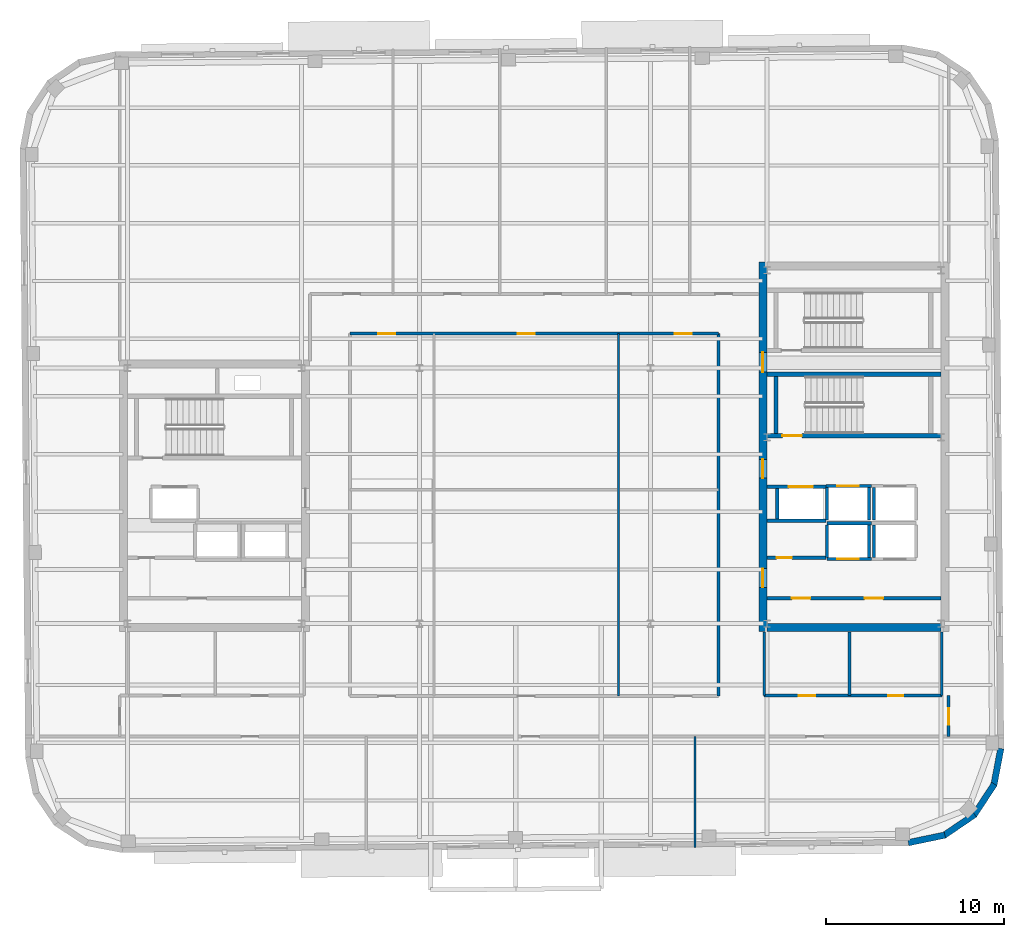
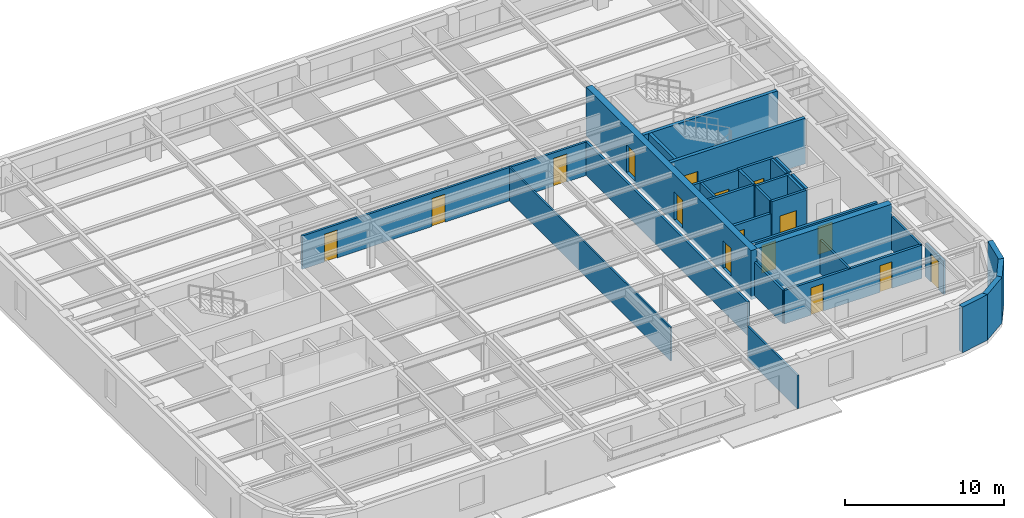
# One storey, part 8 of 14: 32 walls, 16 doors, 16 openings.
"""IFC4 building model written with IfcOpenShell, lengths in metres."""

from ifc_helpers import new_model, si_unit, direction, frame, frame_2d, origin, place, context, subcontext, project, spatial, rectangle, extrude, material, layer, layer_set, type_object, element, fill, save


model = new_model("IFC4")

# Units and contexts
model_context = context("Model", 3, precision=1e-05, world=origin(), true_north=direction((0.0, 1.0)))
body_context = subcontext(model_context, "Body", "Model", "MODEL_VIEW")
ifc_project = project(units=[si_unit("LENGTHUNIT", "METRE"), si_unit("AREAUNIT", "SQUARE_METRE"), si_unit("VOLUMEUNIT", "CUBIC_METRE"), si_unit("PLANEANGLEUNIT", "RADIAN"), si_unit("MASSUNIT", "GRAM", prefix="KILO")], contexts=[model_context])

# Site, building, storey
site_placement = place(None, origin())
site = spatial("IfcSite", under=ifc_project, at=site_placement, CompositionType="ELEMENT")
building_placement = place(site_placement, origin())
building = spatial("IfcBuilding", under=site, at=building_placement, Name="Kolvaren Arena Tower", CompositionType="ELEMENT")
storey_placement = place(building_placement, frame((0.0, 0.0, 308.64990234375)))
storey = spatial("IfcBuildingStorey", under=building, at=storey_placement, Name="L76", CompositionType="ELEMENT", Elevation=308.64990234375)

# Wall, openings, doors
ifc_material_1 = material(Name="Gypsum board acoustic assembly", Category="gypsum")
ifc_layer_1 = layer(ifc_material_1, 0.159912109375)
ifc_layer_set_1 = layer_set([ifc_layer_1], Name="Gypsum board acoustic assembly")
wall_type_1 = type_object("IfcWallType", Name="CORR-160", PredefinedType="PARTITIONING", material=ifc_layer_set_1)
wall_1_placement = place(storey_placement, frame((27.080078125, 35.780029296875, 0.0), z_axis=(0.0, 0.0, 1.0), x_axis=(1.0, 0.0, 0.0)))
wall_1 = element("IfcWall", 1, at=wall_1_placement, inside=storey, type_object=wall_type_1, Name="Interior Partition Wall (L76)", PredefinedType="PARTITIONING", context=body_context, shape_type="SweptSolid", body=[
    extrude(rectangle(XDim=20.739990234375, YDim=0.159912109375, at=frame_2d((10.3701171875, 0.0))), origin(), (0.0, 0.0, 1.0), 2.570068359375),
])
opening_1_placement = place(wall_1_placement, frame((1.594970703125, 0.0, 0.0)))
opening_1 = element("IfcOpeningElement", 2, at=opening_1_placement, cuts=wall_1, Name="Opening D05", PredefinedType="OPENING", context=body_context, shape_type="SweptSolid", body=[
    extrude(rectangle(XDim=0.949951171875, YDim=2.14990234375, at=frame_2d((0.47509765625, 1.074951171875))), frame((0.0, 0.08984375, 0.0), z_axis=(0.0, -1.0, 0.0), x_axis=(1.0, 0.0, 0.0)), (0.0, 0.0, 1.0), 0.179931640625),
])
opening_2_placement = place(wall_1_placement, frame((9.445068359375, 0.0, 0.0)))
opening_2 = element("IfcOpeningElement", 3, at=opening_2_placement, cuts=wall_1, Name="Opening D05", PredefinedType="OPENING", context=body_context, shape_type="SweptSolid", body=[
    extrude(rectangle(XDim=0.949951171875, YDim=2.14990234375, at=frame_2d((0.47509765625, 1.074951171875))), frame((0.0, 0.08984375, 0.0), z_axis=(0.0, -1.0, 0.0), x_axis=(1.0, 0.0, 0.0)), (0.0, 0.0, 1.0), 0.179931640625),
])
opening_3_placement = place(wall_1_placement, frame((18.294921875, 0.0, 0.0)))
opening_3 = element("IfcOpeningElement", 4, at=opening_3_placement, cuts=wall_1, Name="Opening D05", PredefinedType="OPENING", context=body_context, shape_type="SweptSolid", body=[
    extrude(rectangle(XDim=0.949951171875, YDim=2.14990234375, at=frame_2d((0.47509765625, 1.074951171875))), frame((0.0, 0.08984375, 0.0), z_axis=(0.0, -1.0, 0.0), x_axis=(1.0, 0.0, 0.0)), (0.0, 0.0, 1.0), 0.179931640625),
])
ifc_material_2 = material(Name="Solid-core oak acoustic office door", Category="wood")
door_type_1 = type_object("IfcDoorType", Name="DOOR-OF-095", OperationType="NOTDEFINED", PredefinedType="DOOR", material=ifc_material_2)
door_1_placement = place(opening_1_placement, origin())
door_1 = element("IfcDoor", 5, at=door_1_placement, inside=storey, type_object=door_type_1, Name="Open Plan Office Door (L76)", OperationType="SINGLE_SWING_RIGHT", OverallHeight=2.14990234375, OverallWidth=0.949951171875, PredefinedType="DOOR", context=body_context, shape_type="SweptSolid", body=[
    extrude(rectangle(XDim=0.949951171875, YDim=2.14990234375, at=frame_2d((0.47509765625, 1.074951171875))), frame((0.0, 0.02490234375, 0.0), z_axis=(0.0, -1.0, 0.0), x_axis=(1.0, 0.0, 0.0)), (0.0, 0.0, 1.0), 0.050048828125),
])
fill(opening_1, door_1)
door_2_placement = place(opening_2_placement, origin())
door_2 = element("IfcDoor", 6, at=door_2_placement, inside=storey, type_object=door_type_1, Name="Boardroom Door (L76)", OperationType="SINGLE_SWING_RIGHT", OverallHeight=2.14990234375, OverallWidth=0.949951171875, PredefinedType="DOOR", context=body_context, shape_type="SweptSolid", body=[
    extrude(rectangle(XDim=0.949951171875, YDim=2.14990234375, at=frame_2d((0.47509765625, 1.074951171875))), frame((0.0, 0.02490234375, 0.0), z_axis=(0.0, -1.0, 0.0), x_axis=(1.0, 0.0, 0.0)), (0.0, 0.0, 1.0), 0.050048828125),
])
fill(opening_2, door_2)
door_3_placement = place(opening_3_placement, origin())
door_3 = element("IfcDoor", 7, at=door_3_placement, inside=storey, type_object=door_type_1, Name="Tenant Reception Area Door (L76)", OperationType="SINGLE_SWING_RIGHT", OverallHeight=2.14990234375, OverallWidth=0.949951171875, PredefinedType="DOOR", context=body_context, shape_type="SweptSolid", body=[
    extrude(rectangle(XDim=0.949951171875, YDim=2.14990234375, at=frame_2d((0.47509765625, 1.074951171875))), frame((0.0, 0.02490234375, 0.0), z_axis=(0.0, -1.0, 0.0), x_axis=(1.0, 0.0, 0.0)), (0.0, 0.0, 1.0), 0.050048828125),
])
fill(opening_3, door_3)

# Wall
wall_2_placement = place(storey_placement, frame((47.820068359375, 15.3798828125, 0.0), z_axis=(0.0, 0.0, 1.0), x_axis=(0.0, 1.0, 0.0)))
element("IfcWall", 8, at=wall_2_placement, inside=storey, type_object=wall_type_1, Name="Interior Partition Wall (L76)", PredefinedType="PARTITIONING", context=body_context, shape_type="SweptSolid", body=[
    extrude(rectangle(XDim=20.400146484375, YDim=0.159912109375, at=frame_2d((10.2001953125, 0.0))), origin(), (0.0, 0.0, 1.0), 2.570068359375),
])

# Wall, opening, door
wall_3_placement = place(storey_placement, frame((60.780029296875, 13.10009765625, 0.0), z_axis=(0.0, 0.0, 1.0), x_axis=(0.0, 1.0, 0.0)))
wall_3 = element("IfcWall", 9, at=wall_3_placement, inside=storey, type_object=wall_type_1, Name="Interior Partition Wall (L76)", PredefinedType="PARTITIONING", context=body_context, shape_type="SweptSolid", body=[
    extrude(rectangle(XDim=2.2998046875, YDim=0.159912109375, at=frame_2d((1.14990234375, 0.0))), origin(), (0.0, 0.0, 1.0), 2.570068359375),
])
opening_4_placement = place(wall_3_placement, frame((0.64990234375, 0.0, 0.0)))
opening_4 = element("IfcOpeningElement", 10, at=opening_4_placement, cuts=wall_3, Name="Opening D05", PredefinedType="OPENING", context=body_context, shape_type="SweptSolid", body=[
    extrude(rectangle(XDim=0.949951171875, YDim=2.14990234375, at=frame_2d((0.47509765625, 1.074951171875))), frame((0.0, 0.08984375, 0.0), z_axis=(0.0, -1.0, 0.0), x_axis=(1.0, 0.0, 0.0)), (0.0, 0.0, 1.0), 0.179931640625),
])
door_4_placement = place(opening_4_placement, origin())
door_4 = element("IfcDoor", 11, at=door_4_placement, inside=storey, type_object=door_type_1, Name="East Wing Studio Door (L76)", OperationType="SINGLE_SWING_RIGHT", OverallHeight=2.14990234375, OverallWidth=0.949951171875, PredefinedType="DOOR", context=body_context, shape_type="SweptSolid", body=[
    extrude(rectangle(XDim=0.949951171875, YDim=2.14990234375, at=frame_2d((0.47509765625, 1.074951171875))), frame((0.0, 0.02490234375, 0.0), z_axis=(0.0, -1.0, 0.0), x_axis=(1.0, 0.0, 0.0)), (0.0, 0.0, 1.0), 0.050048828125),
])
fill(opening_4, door_4)

# Wall, openings, doors
ifc_material_3 = material(Name="Concrete 55 MPa", Category="concrete")
ifc_layer_2 = layer(ifc_material_3, 0.449951171875)
ifc_layer_set_2 = layer_set([ifc_layer_2], Name="Concrete 55 MPa")
wall_type_2 = type_object("IfcWallType", Name="CWALL-450", PredefinedType="SHEAR", material=ifc_layer_set_2)
wall_4_placement = place(storey_placement, frame((50.324951171875, 19.0, -0.27001953125), z_axis=(0.0, 0.0, 1.0), x_axis=(0.0, 1.0, 0.0)))
wall_4 = element("IfcWall", 12, at=wall_4_placement, inside=storey, type_object=wall_type_2, Name="Core Shear Wall EC-WEST (L76)", PredefinedType="SHEAR", context=body_context, shape_type="SweptSolid", body=[
    extrude(rectangle(XDim=20.800048828125, YDim=0.449951171875, at=frame_2d((10.39990234375, 0.0))), origin(), (0.0, 0.0, 1.0), 3.780029296875),
])
opening_5_placement = place(wall_4_placement, frame((2.5, 0.0, 0.27001953125)))
opening_5 = element("IfcOpeningElement", 13, at=opening_5_placement, cuts=wall_4, Name="Opening D04", PredefinedType="OPENING", context=body_context, shape_type="SweptSolid", body=[
    extrude(rectangle(XDim=1.050048828125, YDim=2.14990234375, at=frame_2d((0.52490234375, 1.074951171875))), frame((0.0, 0.23486328125, 0.0), z_axis=(0.0, -1.0, 0.0), x_axis=(1.0, 0.0, 0.0)), (0.0, 0.0, 1.0), 0.469970703125),
])
opening_6_placement = place(wall_4_placement, frame((8.64990234375, 0.0, 0.27001953125)))
opening_6 = element("IfcOpeningElement", 14, at=opening_6_placement, cuts=wall_4, Name="Opening D04", PredefinedType="OPENING", context=body_context, shape_type="SweptSolid", body=[
    extrude(rectangle(XDim=1.050048828125, YDim=2.14990234375, at=frame_2d((0.52490234375, 1.074951171875))), frame((0.0, 0.23486328125, 0.0), z_axis=(0.0, -1.0, 0.0), x_axis=(1.0, 0.0, 0.0)), (0.0, 0.0, 1.0), 0.469970703125),
])
opening_7_placement = place(wall_4_placement, frame((14.6201171875, 0.0, 0.27001953125)))
opening_7 = element("IfcOpeningElement", 15, at=opening_7_placement, cuts=wall_4, Name="Opening D03", PredefinedType="OPENING", context=body_context, shape_type="SweptSolid", body=[
    extrude(rectangle(XDim=1.10009765625, YDim=2.14990234375, at=frame_2d((0.550048828125, 1.074951171875))), frame((0.0, 0.23486328125, 0.0), z_axis=(0.0, -1.0, 0.0), x_axis=(1.0, 0.0, 0.0)), (0.0, 0.0, 1.0), 0.469970703125),
])
ifc_material_4 = material(Name="Fire-rated steel lobby door", Category="steel")
door_type_2 = type_object("IfcDoorType", Name="DOOR-FF-105", OperationType="NOTDEFINED", PredefinedType="DOOR", material=ifc_material_4)
door_5_placement = place(opening_5_placement, origin())
door_5 = element("IfcDoor", 16, at=door_5_placement, inside=storey, type_object=door_type_2, Name="East Lift Lobby Fire Door (L76)", OperationType="SINGLE_SWING_RIGHT", OverallHeight=2.14990234375, OverallWidth=1.050048828125, PredefinedType="DOOR", context=body_context, shape_type="SweptSolid", body=[
    extrude(rectangle(XDim=1.050048828125, YDim=2.14990234375, at=frame_2d((0.52490234375, 1.074951171875))), frame((0.0, 0.02490234375, 0.0), z_axis=(0.0, -1.0, 0.0), x_axis=(1.0, 0.0, 0.0)), (0.0, 0.0, 1.0), 0.050048828125),
])
fill(opening_5, door_5)
door_6_placement = place(opening_6_placement, origin())
door_6 = element("IfcDoor", 17, at=door_6_placement, inside=storey, type_object=door_type_2, Name="East Firefighter Vestibule Door (L76)", OperationType="SINGLE_SWING_LEFT", OverallHeight=2.14990234375, OverallWidth=1.050048828125, PredefinedType="DOOR", context=body_context, shape_type="SweptSolid", body=[
    extrude(rectangle(XDim=1.050048828125, YDim=2.14990234375, at=frame_2d((0.52490234375, 1.074951171875))), frame((0.0, 0.02490234375, 0.0), z_axis=(0.0, -1.0, 0.0), x_axis=(1.0, 0.0, 0.0)), (0.0, 0.0, 1.0), 0.050048828125),
])
fill(opening_6, door_6)
ifc_material_5 = material(Name="Fire-rated steel exit stair door", Category="steel")
door_type_3 = type_object("IfcDoorType", Name="DOOR-ST-110", OperationType="NOTDEFINED", PredefinedType="DOOR", material=ifc_material_5)
door_7_placement = place(opening_7_placement, origin())
door_7 = element("IfcDoor", 18, at=door_7_placement, inside=storey, type_object=door_type_3, Name="Stair ST-E2 Vestibule Fire Door (L76)", OperationType="SINGLE_SWING_LEFT", OverallHeight=2.14990234375, OverallWidth=1.10009765625, PredefinedType="DOOR", context=body_context, shape_type="SweptSolid", body=[
    extrude(rectangle(XDim=1.10009765625, YDim=2.14990234375, at=frame_2d((0.550048828125, 1.074951171875))), frame((0.0, 0.02490234375, 0.0), z_axis=(0.0, -1.0, 0.0), x_axis=(1.0, 0.0, 0.0)), (0.0, 0.0, 1.0), 0.050048828125),
])
fill(opening_7, door_7)

# Walls
wall_5_placement = place(storey_placement, frame((50.550048828125, 19.22509765625, -0.27001953125), z_axis=(0.0, 0.0, 1.0), x_axis=(1.0, 0.0, 0.0)))
element("IfcWall", 19, at=wall_5_placement, inside=storey, type_object=wall_type_2, Name="Core Shear Wall EC-SOUTH (L76)", PredefinedType="SHEAR", context=body_context, shape_type="SweptSolid", body=[
    extrude(rectangle(XDim=9.800048828125, YDim=0.449951171875, at=frame_2d((4.89990234375, 0.0))), origin(), (0.0, 0.0, 1.0), 3.780029296875),
])
ifc_material_6 = material(Name="Precast concrete C50/60", Category="concrete")
ifc_layer_3 = layer(ifc_material_6, 0.360107421875)
ifc_layer_set_3 = layer_set([ifc_layer_3], Name="Precast concrete C50/60")
wall_type_3 = type_object("IfcWallType", Name="EXT-PIER2", PredefinedType="SOLIDWALL", material=ifc_layer_set_3)
wall_6_placement = place(storey_placement, frame((60.572265625, 7.54931640625, 0.0), z_axis=(0.0, 0.0, 1.0), x_axis=(-0.979059388908, -0.203574833883, 0.0)))
element("IfcWall", 20, at=wall_6_placement, inside=storey, type_object=wall_type_3, Name="Exterior Precast Masonry-Frame Wall (L76)", PredefinedType="SOLIDWALL", context=body_context, shape_type="SweptSolid", body=[
    extrude(rectangle(XDim=2.107177734375, YDim=0.360107421875, at=frame_2d((1.0537109375, 0.0))), origin(), (0.0, 0.0, 1.0), 3.510009765625),
])
for number, where, z_axis, x_axis, name in (
    (21, (62.2490234375, 8.707763671875, 0.0), (0.0, 0.0, 1.0), (-0.826572866302, -0.562829722645, 0.0), "Exterior Precast Masonry-Frame Wall (L76)"),
    (22, (63.35498046875, 10.419921875, 0.0), (0.0, 0.0, 1.0), (-0.54818559406, -0.836356714844, 0.0), "Exterior Precast Masonry-Frame Wall (L76)"),
    (23, (63.7216796875, 12.4248046875, 0.0), (0.0, 0.0, 1.0), (-0.186435855703, -0.98246713518, 0.0), "Exterior Precast Masonry-Frame Wall (L76)"),
):
    element("IfcWall", number, at=place(storey_placement, frame(where, z_axis=z_axis, x_axis=x_axis)), inside=storey, type_object=wall_type_3, Name=name, PredefinedType="SOLIDWALL", context=body_context, shape_type="SweptSolid", body=[
        extrude(rectangle(XDim=2.10693359375, YDim=0.360107421875, at=frame_2d((1.053466796875, 0.0))), origin(), (0.0, 0.0, 1.0), 3.510009765625),
    ])

# Wall, openings, doors
ifc_material_7 = material(Name="Concrete 40 MPa", Category="concrete")
ifc_layer_4 = layer(ifc_material_7, 0.199951171875)
ifc_layer_set_4 = layer_set([ifc_layer_4], Name="Concrete 40 MPa")
wall_type_4 = type_object("IfcWallType", Name="LOBBY-200", PredefinedType="SOLIDWALL", material=ifc_layer_set_4)
wall_7_placement = place(storey_placement, frame((50.550048828125, 20.8798828125, 0.0), z_axis=(0.0, 0.0, 1.0), x_axis=(1.0, 0.0, 0.0)))
wall_7 = element("IfcWall", 24, at=wall_7_placement, inside=storey, type_object=wall_type_4, Name="Core Shaft Wall (L76)", PredefinedType="SOLIDWALL", context=body_context, shape_type="SweptSolid", body=[
    extrude(rectangle(XDim=9.800048828125, YDim=0.199951171875, at=frame_2d((4.89990234375, 0.0))), origin(), (0.0, 0.0, 1.0), 2.570068359375),
])
opening_8_placement = place(wall_7_placement, frame((1.39990234375, 0.0, 0.0)))
opening_8 = element("IfcOpeningElement", 25, at=opening_8_placement, cuts=wall_7, Name="Opening D04", PredefinedType="OPENING", context=body_context, shape_type="SweptSolid", body=[
    extrude(rectangle(XDim=1.050048828125, YDim=2.14990234375, at=frame_2d((0.52490234375, 1.074951171875))), frame((0.0, 0.10986328125, 0.0), z_axis=(0.0, -1.0, 0.0), x_axis=(1.0, 0.0, 0.0)), (0.0, 0.0, 1.0), 0.219970703125),
])
opening_9_placement = place(wall_7_placement, frame((5.5, 0.0, 0.0)))
opening_9 = element("IfcOpeningElement", 26, at=opening_9_placement, cuts=wall_7, Name="Opening D04", PredefinedType="OPENING", context=body_context, shape_type="SweptSolid", body=[
    extrude(rectangle(XDim=1.050048828125, YDim=2.14990234375, at=frame_2d((0.52490234375, 1.074951171875))), frame((0.0, 0.10986328125, 0.0), z_axis=(0.0, -1.0, 0.0), x_axis=(1.0, 0.0, 0.0)), (0.0, 0.0, 1.0), 0.219970703125),
])
door_8_placement = place(opening_8_placement, origin())
door_8 = element("IfcDoor", 27, at=door_8_placement, inside=storey, type_object=door_type_2, Name="East Telecom Room Fire Door (L76)", OperationType="SINGLE_SWING_RIGHT", OverallHeight=2.14990234375, OverallWidth=1.050048828125, PredefinedType="DOOR", context=body_context, shape_type="SweptSolid", body=[
    extrude(rectangle(XDim=1.050048828125, YDim=2.14990234375, at=frame_2d((0.52490234375, 1.074951171875))), frame((0.0, 0.02490234375, 0.0), z_axis=(0.0, -1.0, 0.0), x_axis=(1.0, 0.0, 0.0)), (0.0, 0.0, 1.0), 0.050048828125),
])
fill(opening_8, door_8)
door_9_placement = place(opening_9_placement, origin())
door_9 = element("IfcDoor", 28, at=door_9_placement, inside=storey, type_object=door_type_2, Name="East Records Room Fire Door (L76)", OperationType="SINGLE_SWING_LEFT", OverallHeight=2.14990234375, OverallWidth=1.050048828125, PredefinedType="DOOR", context=body_context, shape_type="SweptSolid", body=[
    extrude(rectangle(XDim=1.050048828125, YDim=2.14990234375, at=frame_2d((0.52490234375, 1.074951171875))), frame((0.0, 0.02490234375, 0.0), z_axis=(0.0, -1.0, 0.0), x_axis=(1.0, 0.0, 0.0)), (0.0, 0.0, 1.0), 0.050048828125),
])
fill(opening_9, door_9)

# Wall, opening, door
wall_8_placement = place(storey_placement, frame((50.550048828125, 23.159912109375, 0.0), z_axis=(0.0, 0.0, 1.0), x_axis=(1.0, 0.0, 0.0)))
wall_8 = element("IfcWall", 29, at=wall_8_placement, inside=storey, type_object=wall_type_4, Name="Core Shaft Wall (L76)", PredefinedType="SOLIDWALL", context=body_context, shape_type="SweptSolid", body=[
    extrude(rectangle(XDim=3.329833984375, YDim=0.199951171875, at=frame_2d((1.6650390625, 0.0))), origin(), (0.0, 0.0, 1.0), 2.570068359375),
])
opening_10_placement = place(wall_8_placement, frame((0.550048828125, 0.0, 0.0)))
opening_10 = element("IfcOpeningElement", 30, at=opening_10_placement, cuts=wall_8, Name="Opening D09", PredefinedType="OPENING", context=body_context, shape_type="SweptSolid", body=[
    extrude(rectangle(XDim=0.860107421875, YDim=2.050048828125, at=frame_2d((0.43017578125, 1.02490234375))), frame((0.0, 0.10986328125, 0.0), z_axis=(0.0, -1.0, 0.0), x_axis=(1.0, 0.0, 0.0)), (0.0, 0.0, 1.0), 0.219970703125),
])
ifc_material_8 = material(Name="Fire-rated steel riser access door", Category="steel")
door_type_4 = type_object("IfcDoorType", Name="DOOR-RS-086", OperationType="NOTDEFINED", PredefinedType="DOOR", material=ifc_material_8)
door_10_placement = place(opening_10_placement, origin())
door_10 = element("IfcDoor", 31, at=door_10_placement, inside=storey, type_object=door_type_4, Name="East AV Riser Closet Door (L76)", OperationType="SINGLE_SWING_LEFT", OverallHeight=2.050048828125, OverallWidth=0.860107421875, PredefinedType="DOOR", context=body_context, shape_type="SweptSolid", body=[
    extrude(rectangle(XDim=0.860107421875, YDim=2.050048828125, at=frame_2d((0.43017578125, 1.02490234375))), frame((0.0, 0.02490234375, 0.0), z_axis=(0.0, -1.0, 0.0), x_axis=(1.0, 0.0, 0.0)), (0.0, 0.0, 1.0), 0.050048828125),
])
fill(opening_10, door_10)

# Walls
ifc_material_9 = material(Name="Gypsum board partition assembly", Category="gypsum")
ifc_layer_5 = layer(ifc_material_9, 0.114990234375)
ifc_layer_set_5 = layer_set([ifc_layer_5], Name="Gypsum board partition assembly")
wall_type_5 = type_object("IfcWallType", Name="PART-115", PredefinedType="PARTITIONING", material=ifc_layer_set_5)
wall_9_placement = place(storey_placement, frame((42.199951171875, 15.3798828125, 0.0), z_axis=(0.0, 0.0, 1.0), x_axis=(0.0, 1.0, 0.0)))
element("IfcWall", 32, at=wall_9_placement, inside=storey, type_object=wall_type_5, Name="Interior Partition Wall (L76)", PredefinedType="PARTITIONING", context=body_context, shape_type="SweptSolid", body=[
    extrude(rectangle(XDim=20.400146484375, YDim=0.114990234375, at=frame_2d((10.2001953125, 0.0))), origin(), (0.0, 0.0, 1.0), 2.570068359375),
])
ifc_layer_6 = layer(ifc_material_9, 0.135009765625)
ifc_layer_set_6 = layer_set([ifc_layer_6], Name="Gypsum board partition assembly")
wall_type_6 = type_object("IfcWallType", Name="PART-135", PredefinedType="PARTITIONING", material=ifc_layer_set_6)
wall_10_placement = place(storey_placement, frame((46.5, 6.839111328125, 0.0), z_axis=(0.0, 0.0, 1.0), x_axis=(0.0, 1.0, 0.0)))
element("IfcWall", 33, at=wall_10_placement, inside=storey, type_object=wall_type_6, Name="Interior Partition Wall (L76)", PredefinedType="PARTITIONING", context=body_context, shape_type="SweptSolid", body=[
    extrude(rectangle(XDim=6.260986328125, YDim=0.135009765625, at=frame_2d((3.13037109375, 0.0))), origin(), (0.0, 0.0, 1.0), 2.570068359375),
])

# Wall, opening, door
ifc_material_10 = material(Name="Concrete 45 MPa", Category="concrete")
ifc_layer_7 = layer(ifc_material_10, 0.25)
ifc_layer_set_7 = layer_set([ifc_layer_7], Name="Concrete 45 MPa")
wall_type_7 = type_object("IfcWallType", Name="SHAFT-250", PredefinedType="SOLIDWALL", material=ifc_layer_set_7)
wall_11_placement = place(storey_placement, frame((60.35009765625, 30.030029296875, 0.0), z_axis=(0.0, 0.0, 1.0), x_axis=(-1.0, 0.0, 0.0)))
wall_11 = element("IfcWall", 34, at=wall_11_placement, inside=storey, type_object=wall_type_7, Name="Core Shaft Wall (L76)", PredefinedType="SOLIDWALL", context=body_context, shape_type="SweptSolid", body=[
    extrude(rectangle(XDim=9.800048828125, YDim=0.239990234375, at=frame_2d((4.89990234375, 0.0))), origin(), (0.0, 0.0, 1.0), 3.510009765625),
])
opening_11_placement = place(wall_11_placement, frame((7.830078125, 0.0, 0.0)))
opening_11 = element("IfcOpeningElement", 35, at=opening_11_placement, cuts=wall_11, Name="Opening D03", PredefinedType="OPENING", context=body_context, shape_type="SweptSolid", body=[
    extrude(rectangle(XDim=1.10009765625, YDim=2.14990234375, at=frame_2d((0.550048828125, 1.074951171875))), frame((0.0, 0.1298828125, 0.0), z_axis=(0.0, -1.0, 0.0), x_axis=(1.0, 0.0, 0.0)), (0.0, 0.0, 1.0), 0.260009765625),
])
door_11_placement = place(opening_11_placement, origin())
door_11 = element("IfcDoor", 36, at=door_11_placement, inside=storey, type_object=door_type_3, Name="Stair ST-E1 Fire Door (L76)", OperationType="SINGLE_SWING_LEFT", OverallHeight=2.14990234375, OverallWidth=1.10009765625, PredefinedType="DOOR", context=body_context, shape_type="SweptSolid", body=[
    extrude(rectangle(XDim=1.10009765625, YDim=2.14990234375, at=frame_2d((0.550048828125, 1.074951171875))), frame((0.0, 0.02490234375, 0.0), z_axis=(0.0, -1.0, 0.0), x_axis=(1.0, 0.0, 0.0)), (0.0, 0.0, 1.0), 0.050048828125),
])
fill(opening_11, door_11)

# Walls
wall_12_placement = place(storey_placement, frame((50.550048828125, 33.5, 0.0), z_axis=(0.0, 0.0, 1.0), x_axis=(1.0, 0.0, 0.0)))
element("IfcWall", 37, at=wall_12_placement, inside=storey, type_object=wall_type_7, Name="Core Shaft Wall (L76)", PredefinedType="SOLIDWALL", context=body_context, shape_type="SweptSolid", body=[
    extrude(rectangle(XDim=9.800048828125, YDim=0.239990234375, at=frame_2d((4.89990234375, 0.0))), origin(), (0.0, 0.0, 1.0), 3.510009765625),
])
wall_13_placement = place(storey_placement, frame((51.06005859375, 30.14990234375, 0.0), z_axis=(0.0, 0.0, 1.0), x_axis=(0.0, 1.0, 0.0)))
element("IfcWall", 38, at=wall_13_placement, inside=storey, type_object=wall_type_7, Name="Core Shaft Wall (L76)", PredefinedType="SOLIDWALL", context=body_context, shape_type="SweptSolid", body=[
    extrude(rectangle(XDim=3.22998046875, YDim=0.239990234375, at=frame_2d((1.614990234375, 0.0))), origin(), (0.0, 0.0, 1.0), 3.510009765625),
])
wall_14_placement = place(storey_placement, frame((53.93994140625, 25.10498046875, 0.0), z_axis=(0.0, 0.0, 1.0), x_axis=(1.0, 0.0, 0.0)))
element("IfcWall", 39, at=wall_14_placement, inside=storey, type_object=wall_type_7, Name="Core Shaft Wall (L76)", PredefinedType="SOLIDWALL", context=body_context, shape_type="SweptSolid", body=[
    extrude(rectangle(XDim=2.5, YDim=0.179931640625, at=frame_2d((1.25, 0.0))), origin(), (0.0, 0.0, 1.0), 3.510009765625),
])

# Wall, opening, door
wall_15_placement = place(storey_placement, frame((53.93994140625, 23.094970703125, 0.0), z_axis=(0.0, 0.0, 1.0), x_axis=(1.0, 0.0, 0.0)))
wall_15 = element("IfcWall", 40, at=wall_15_placement, inside=storey, type_object=wall_type_7, Name="Core Shaft Wall (L76)", PredefinedType="SOLIDWALL", context=body_context, shape_type="SweptSolid", body=[
    extrude(rectangle(XDim=2.5, YDim=0.179931640625, at=frame_2d((1.25, 0.0))), origin(), (0.0, 0.0, 1.0), 3.510009765625),
])
opening_12_placement = place(wall_15_placement, frame((0.580078125, 0.0, 0.0)))
opening_12 = element("IfcOpeningElement", 41, at=opening_12_placement, cuts=wall_15, Name="Opening LD1", PredefinedType="OPENING", context=body_context, shape_type="SweptSolid", body=[
    extrude(rectangle(XDim=1.199951171875, YDim=2.199951171875, at=frame_2d((0.60009765625, 1.10009765625))), frame((0.0, 0.099853515625, 0.0), z_axis=(0.0, -1.0, 0.0), x_axis=(1.0, 0.0, 0.0)), (0.0, 0.0, 1.0), 0.199951171875),
])
ifc_material_11 = material(Name="Stainless steel passenger lift landing door", Category="steel")
door_type_5 = type_object("IfcDoorType", Name="DOOR-LD-120", OperationType="DOUBLE_DOOR_SLIDING", PredefinedType="DOOR", material=ifc_material_11)
door_12_placement = place(opening_12_placement, origin())
door_12 = element("IfcDoor", 42, at=door_12_placement, inside=storey, type_object=door_type_5, Name="Lift EL-HR1 Landing Door (L76)", OperationType="DOUBLE_DOOR_SLIDING", OverallHeight=2.199951171875, OverallWidth=1.199951171875, PredefinedType="DOOR", context=body_context, shape_type="SweptSolid", body=[
    extrude(rectangle(XDim=1.199951171875, YDim=2.199951171875, at=frame_2d((0.60009765625, 1.10009765625))), frame((0.0, 0.02490234375, 0.0), z_axis=(0.0, -1.0, 0.0), x_axis=(1.0, 0.0, 0.0)), (0.0, 0.0, 1.0), 0.050048828125),
])
fill(opening_12, door_12)

# Walls
for number, where, z_axis, x_axis, name in (
    (43, (53.93994140625, 23.18505859375, 0.0), (0.0, 0.0, 1.0), (0.0, 1.0, 0.0), "Core Shaft Wall (L76)"),
    (44, (56.300048828125, 23.18505859375, 0.0), (0.0, 0.0, 1.0), (0.0, 1.0, 0.0), "Core Shaft Wall (L76)"),
    (45, (56.580078125, 23.18505859375, 0.0), (0.0, 0.0, 1.0), (0.0, 1.0, 0.0), "Core Shaft Wall (L76)"),
):
    element("IfcWall", number, at=place(storey_placement, frame(where, z_axis=z_axis, x_axis=x_axis)), inside=storey, type_object=wall_type_7, Name=name, PredefinedType="SOLIDWALL", context=body_context, shape_type="SweptSolid", body=[
        extrude(rectangle(XDim=1.829833984375, YDim=0.179931640625, at=frame_2d((0.9150390625, 0.0))), origin(), (0.0, 0.0, 1.0), 3.510009765625),
    ])

# Wall, opening, door
wall_16_placement = place(storey_placement, frame((53.864990234375, 27.205078125, 0.0), z_axis=(0.0, 0.0, 1.0), x_axis=(1.0, 0.0, 0.0)))
wall_16 = element("IfcWall", 46, at=wall_16_placement, inside=storey, type_object=wall_type_7, Name="Core Shaft Wall (L76)", PredefinedType="SOLIDWALL", context=body_context, shape_type="SweptSolid", body=[
    extrude(rectangle(XDim=2.574951171875, YDim=0.179931640625, at=frame_2d((1.28759765625, 0.0))), origin(), (0.0, 0.0, 1.0), 3.510009765625),
])
opening_13_placement = place(wall_16_placement, frame((0.655029296875, 0.0, 0.0)))
opening_13 = element("IfcOpeningElement", 47, at=opening_13_placement, cuts=wall_16, Name="Opening LD1", PredefinedType="OPENING", context=body_context, shape_type="SweptSolid", body=[
    extrude(rectangle(XDim=1.199951171875, YDim=2.199951171875, at=frame_2d((0.60009765625, 1.10009765625))), frame((0.0, 0.099853515625, 0.0), z_axis=(0.0, -1.0, 0.0), x_axis=(1.0, 0.0, 0.0)), (0.0, 0.0, 1.0), 0.199951171875),
])
door_13_placement = place(opening_13_placement, origin())
door_13 = element("IfcDoor", 48, at=door_13_placement, inside=storey, type_object=door_type_5, Name="Lift EL-HR3 Landing Door (L76)", OperationType="DOUBLE_DOOR_SLIDING", OverallHeight=2.199951171875, OverallWidth=1.199951171875, PredefinedType="DOOR", context=body_context, shape_type="SweptSolid", body=[
    extrude(rectangle(XDim=1.199951171875, YDim=2.199951171875, at=frame_2d((0.60009765625, 1.10009765625))), frame((0.0, 0.02490234375, 0.0), z_axis=(0.0, -1.0, 0.0), x_axis=(1.0, 0.0, 0.0)), (0.0, 0.0, 1.0), 0.050048828125),
])
fill(opening_13, door_13)

# Walls
for number, where, z_axis, x_axis, name in (
    (49, (53.93994140625, 25.284912109375, 0.0), (0.0, 0.0, 1.0), (0.0, 1.0, 0.0), "Core Shaft Wall (L76)"),
    (50, (56.300048828125, 25.284912109375, 0.0), (0.0, 0.0, 1.0), (0.0, 1.0, 0.0), "Core Shaft Wall (L76)"),
    (51, (56.580078125, 25.284912109375, 0.0), (0.0, 0.0, 1.0), (0.0, 1.0, 0.0), "Core Shaft Wall (L76)"),
):
    element("IfcWall", number, at=place(storey_placement, frame(where, z_axis=z_axis, x_axis=x_axis)), inside=storey, type_object=wall_type_7, Name=name, PredefinedType="SOLIDWALL", context=body_context, shape_type="SweptSolid", body=[
        extrude(rectangle(XDim=1.830078125, YDim=0.179931640625, at=frame_2d((0.9150390625, 0.0))), origin(), (0.0, 0.0, 1.0), 3.510009765625),
    ])

# Wall, opening, door
wall_17_placement = place(storey_placement, frame((50.550048828125, 27.155029296875, 0.0), z_axis=(0.0, 0.0, 1.0), x_axis=(1.0, 0.0, 0.0)))
wall_17 = element("IfcWall", 52, at=wall_17_placement, inside=storey, type_object=wall_type_7, Name="Core Shaft Wall (L76)", PredefinedType="SOLIDWALL", context=body_context, shape_type="SweptSolid", body=[
    extrude(rectangle(XDim=3.31494140625, YDim=0.179931640625, at=frame_2d((1.657470703125, 0.0))), origin(), (0.0, 0.0, 1.0), 3.510009765625),
])
opening_14_placement = place(wall_17_placement, frame((1.235107421875, 0.0, 0.0)))
opening_14 = element("IfcOpeningElement", 53, at=opening_14_placement, cuts=wall_17, Name="Opening LD2", PredefinedType="OPENING", context=body_context, shape_type="SweptSolid", body=[
    extrude(rectangle(XDim=1.35009765625, YDim=2.300048828125, at=frame_2d((0.675048828125, 1.14990234375))), frame((0.0, 0.099853515625, 0.0), z_axis=(0.0, -1.0, 0.0), x_axis=(1.0, 0.0, 0.0)), (0.0, 0.0, 1.0), 0.199951171875),
])
ifc_material_12 = material(Name="Stainless steel firefighter lift landing door", Category="steel")
door_type_6 = type_object("IfcDoorType", Name="DOOR-LD-135", OperationType="DOUBLE_DOOR_SLIDING", PredefinedType="DOOR", material=ifc_material_12)
door_14_placement = place(opening_14_placement, origin())
door_14 = element("IfcDoor", 54, at=door_14_placement, inside=storey, type_object=door_type_6, Name="Firefighter Lift FF-E1 Landing Door (L76)", OperationType="DOUBLE_DOOR_SLIDING", OverallHeight=2.300048828125, OverallWidth=1.35009765625, PredefinedType="DOOR", context=body_context, shape_type="SweptSolid", body=[
    extrude(rectangle(XDim=1.35009765625, YDim=2.300048828125, at=frame_2d((0.675048828125, 1.14990234375))), frame((0.0, 0.02490234375, 0.0), z_axis=(0.0, -1.0, 0.0), x_axis=(1.0, 0.0, 0.0)), (0.0, 0.0, 1.0), 0.050048828125),
])
fill(opening_14, door_14)

# Walls
wall_18_placement = place(storey_placement, frame((50.550048828125, 25.2451171875, 0.0), z_axis=(0.0, 0.0, 1.0), x_axis=(1.0, 0.0, 0.0)))
element("IfcWall", 55, at=wall_18_placement, inside=storey, type_object=wall_type_7, Name="Core Shaft Wall (L76)", PredefinedType="SOLIDWALL", context=body_context, shape_type="SweptSolid", body=[
    extrude(rectangle(XDim=3.31494140625, YDim=0.179931640625, at=frame_2d((1.657470703125, 0.0))), origin(), (0.0, 0.0, 1.0), 3.510009765625),
])
wall_19_placement = place(storey_placement, frame((51.1298828125, 25.3349609375, 0.0), z_axis=(0.0, 0.0, 1.0), x_axis=(0.0, 1.0, 0.0)))
element("IfcWall", 56, at=wall_19_placement, inside=storey, type_object=wall_type_7, Name="Core Shaft Wall (L76)", PredefinedType="SOLIDWALL", context=body_context, shape_type="SweptSolid", body=[
    extrude(rectangle(XDim=1.72998046875, YDim=0.179931640625, at=frame_2d((0.864990234375, 0.0))), origin(), (0.0, 0.0, 1.0), 3.510009765625),
])

# Wall, openings, doors
wall_20_placement = place(storey_placement, frame((50.39990234375, 15.39990234375, 0.0), z_axis=(0.0, 0.0, 1.0), x_axis=(1.0, 0.0, 0.0)))
wall_20 = element("IfcWall", 57, at=wall_20_placement, inside=storey, type_object=wall_type_7, Name="Interior Partition Wall (L76)", PredefinedType="SOLIDWALL", context=body_context, shape_type="SweptSolid", body=[
    extrude(rectangle(XDim=10.0, YDim=0.179931640625, at=frame_2d((5.0, 0.0))), origin(), (0.0, 0.0, 1.0), 2.570068359375),
])
opening_15_placement = place(wall_20_placement, frame((1.93994140625, 0.0, 0.0)))
opening_15 = element("IfcOpeningElement", 58, at=opening_15_placement, cuts=wall_20, Name="Opening D07", PredefinedType="OPENING", context=body_context, shape_type="SweptSolid", body=[
    extrude(rectangle(XDim=0.919921875, YDim=2.10009765625, at=frame_2d((0.4599609375, 1.050048828125))), frame((0.0, 0.099853515625, 0.0), z_axis=(0.0, -1.0, 0.0), x_axis=(1.0, 0.0, 0.0)), (0.0, 0.0, 1.0), 0.199951171875),
])
opening_16_placement = place(wall_20_placement, frame((6.969970703125, 0.0, 0.0)))
opening_16 = element("IfcOpeningElement", 59, at=opening_16_placement, cuts=wall_20, Name="Opening D09", PredefinedType="OPENING", context=body_context, shape_type="SweptSolid", body=[
    extrude(rectangle(XDim=0.860107421875, YDim=2.050048828125, at=frame_2d((0.43017578125, 1.02490234375))), frame((0.0, 0.099853515625, 0.0), z_axis=(0.0, -1.0, 0.0), x_axis=(1.0, 0.0, 0.0)), (0.0, 0.0, 1.0), 0.199951171875),
])
door_15_placement = place(opening_16_placement, origin())
door_15 = element("IfcDoor", 60, at=door_15_placement, inside=storey, type_object=door_type_4, Name="Electrical Riser Closet Door (L76)", OperationType="SINGLE_SWING_LEFT", OverallHeight=2.050048828125, OverallWidth=0.860107421875, PredefinedType="DOOR", context=body_context, shape_type="SweptSolid", body=[
    extrude(rectangle(XDim=0.860107421875, YDim=2.050048828125, at=frame_2d((0.43017578125, 1.02490234375))), frame((0.0, 0.02490234375, 0.0), z_axis=(0.0, -1.0, 0.0), x_axis=(1.0, 0.0, 0.0)), (0.0, 0.0, 1.0), 0.050048828125),
])
fill(opening_16, door_15)
ifc_material_13 = material(Name="Laminate universal washroom door", Category="wood")
door_type_7 = type_object("IfcDoorType", Name="DOOR-WC-092", OperationType="NOTDEFINED", PredefinedType="DOOR", material=ifc_material_13)
door_16_placement = place(opening_15_placement, origin())
door_16 = element("IfcDoor", 61, at=door_16_placement, inside=storey, type_object=door_type_7, Name="Cleaner and Janitor Store Door (L76)", OperationType="SINGLE_SWING_RIGHT", OverallHeight=2.10009765625, OverallWidth=0.919921875, PredefinedType="DOOR", context=body_context, shape_type="SweptSolid", body=[
    extrude(rectangle(XDim=0.919921875, YDim=2.10009765625, at=frame_2d((0.4599609375, 1.050048828125))), frame((0.0, 0.02490234375, 0.0), z_axis=(0.0, -1.0, 0.0), x_axis=(1.0, 0.0, 0.0)), (0.0, 0.0, 1.0), 0.050048828125),
])
fill(opening_15, door_16)

# Walls
ifc_material_14 = material(Name="Moisture-resistant gypsum assembly", Category="gypsum")
ifc_layer_8 = layer(ifc_material_14, 0.14990234375)
ifc_layer_set_8 = layer_set([ifc_layer_8], Name="Moisture-resistant gypsum assembly")
wall_type_8 = type_object("IfcWallType", Name="WETW-150", PredefinedType="PARTITIONING", material=ifc_layer_set_8)
for number, where, z_axis, x_axis, name in (
    (62, (55.199951171875, 15.39990234375, 0.0), (0.0, 0.0, 1.0), (0.0, 1.0, 0.0), "Interior Partition Wall (L76)"),
    (63, (50.39990234375, 15.39990234375, 0.0), (0.0, 0.0, 1.0), (0.0, 1.0, 0.0), "Interior Partition Wall (L76)"),
    (64, (60.39990234375, 15.39990234375, 0.0), (0.0, 0.0, 1.0), (0.0, 1.0, 0.0), "Interior Partition Wall (L76)"),
):
    element("IfcWall", number, at=place(storey_placement, frame(where, z_axis=z_axis, x_axis=x_axis)), inside=storey, type_object=wall_type_8, Name=name, PredefinedType="PARTITIONING", context=body_context, shape_type="SweptSolid", body=[
        extrude(rectangle(XDim=3.580078125, YDim=0.14990234375, at=frame_2d((1.7900390625, 0.0))), origin(), (0.0, 0.0, 1.0), 2.570068359375),
    ])

save(model, "model.ifc")
